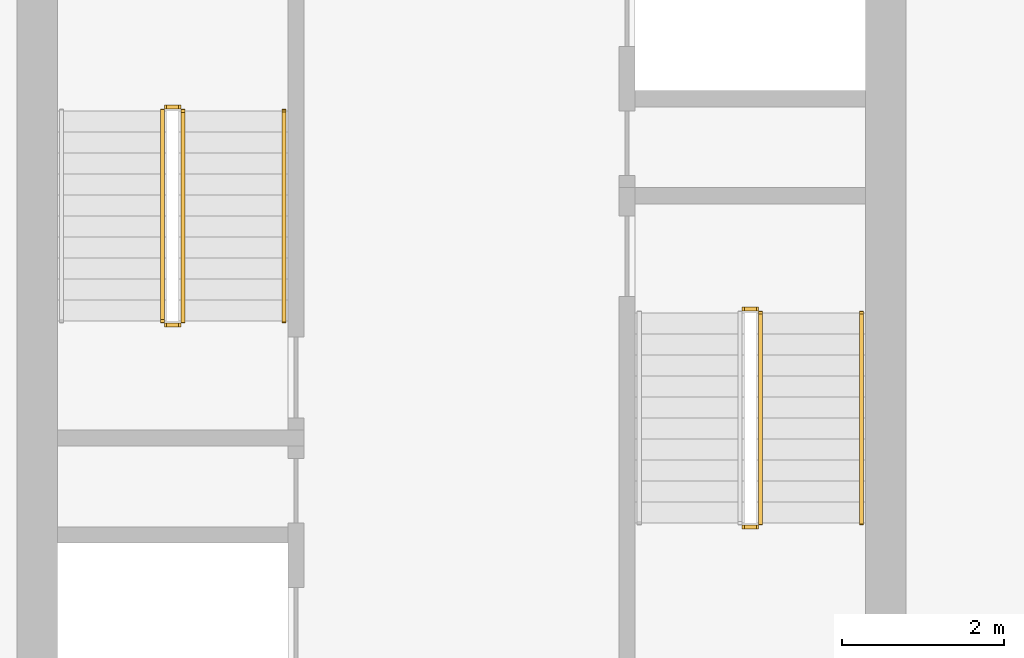
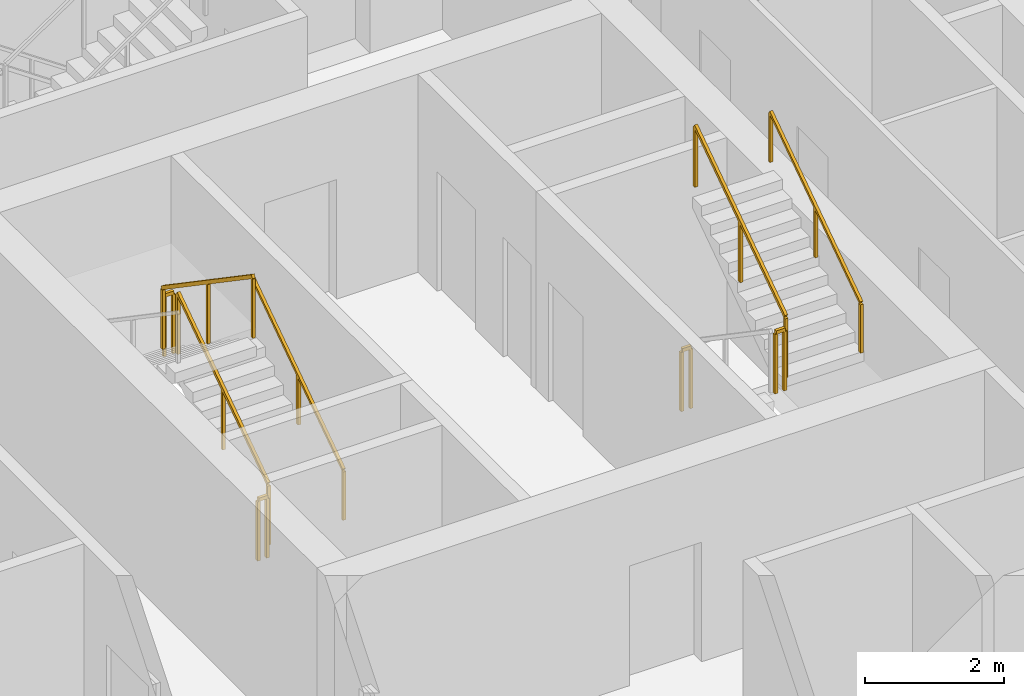
# One storey, part 11 of 14: 9 railings.
"""IFC4 building model written with IfcOpenShell, lengths in metres."""

from ifc_helpers import new_model, si_unit, direction, frame, origin, origin_2d, place, context, subcontext, project, spatial, rectangle, extrude, material, type_object, element, save


model = new_model("IFC4")

# Units and contexts
model_context = context("Model", 3, precision=1e-05, world=origin(), true_north=direction((0.0, 1.0)))
body_context = subcontext(model_context, "Body", "Model", "MODEL_VIEW")
ifc_project = project(units=[si_unit("LENGTHUNIT", "METRE"), si_unit("AREAUNIT", "SQUARE_METRE"), si_unit("VOLUMEUNIT", "CUBIC_METRE"), si_unit("PLANEANGLEUNIT", "RADIAN"), si_unit("MASSUNIT", "GRAM", prefix="KILO")], contexts=[model_context])

# Site, building, storey
site_placement = place(None, origin())
site = spatial("IfcSite", under=ifc_project, at=site_placement, CompositionType="ELEMENT")
building_placement = place(site_placement, origin())
building = spatial("IfcBuilding", under=site, at=building_placement, Name="Khepri Terraces", CompositionType="ELEMENT")
storey_placement = place(building_placement, frame((0.0, 0.0, 106.5)))
storey = spatial("IfcBuildingStorey", under=building, at=storey_placement, Name="L25", CompositionType="ELEMENT", Elevation=106.5)

# Railings
ifc_material = material(Name="Stainless steel 316", Category="steel")
railing_type_1 = type_object("IfcRailingType", Name="RL-CORE-GUARD", PredefinedType="GUARDRAIL", material=ifc_material)
railing_1_placement = place(storey_placement, frame((-3.449951171875, -0.050048828125, 0.17724609375)))
element("IfcRailing", 1, at=railing_1_placement, inside=storey, type_object=railing_type_1, Name="L25 ST-1 stair guard 1", PredefinedType="GUARDRAIL", context=body_context, shape_type="SweptSolid", body=[
    extrude(rectangle(XDim=0.050048828125, YDim=0.06005859375, at=origin_2d()), frame((0.0, 0.0, 1.070068359375), z_axis=(0.0, 0.826240473404, 0.563317565952), x_axis=(-1.0, 0.0, 0.0)), (0.0, 0.0, 1.0), 3.14697265625),
    extrude(rectangle(XDim=0.050048828125, YDim=0.050048828125, at=origin_2d()), origin(), (0.0, 0.0, 1.0), 1.0400390625),
    extrude(rectangle(XDim=0.050048828125, YDim=0.050048828125, at=origin_2d()), frame((0.0, 1.300048828125, 0.88623046875)), (0.0, 0.0, 1.0), 1.0400390625),
    extrude(rectangle(XDim=0.050048828125, YDim=0.050048828125, at=origin_2d()), frame((0.0, 2.60009765625, 1.772705078125)), (0.0, 0.0, 1.0), 1.0400390625),
])
railing_2_placement = place(storey_placement, frame((-3.5, 2.60009765625, 1.949951171875)))
element("IfcRailing", 2, at=railing_2_placement, inside=storey, type_object=railing_type_1, Name="L25 ST-1 stair guard 2", PredefinedType="GUARDRAIL", context=body_context, shape_type="SweptSolid", body=[
    extrude(rectangle(XDim=0.050048828125, YDim=0.06005859375, at=origin_2d()), frame((0.0, 0.0, 1.070068359375), z_axis=(-1.0, 0.0, 0.0), x_axis=(0.0, -1.0, 0.0)), (0.0, 0.0, 1.0), 0.14990234375),
    extrude(rectangle(XDim=0.050048828125, YDim=0.050048828125, at=origin_2d()), origin(), (0.0, 0.0, 1.0), 1.0400390625),
    extrude(rectangle(XDim=0.050048828125, YDim=0.050048828125, at=origin_2d()), frame((-0.14990234375, 0.0, 0.0)), (0.0, 0.0, 1.0), 1.0400390625),
])
railing_3_placement = place(storey_placement, frame((-3.699951171875, 2.550048828125, 2.127197265625)))
element("IfcRailing", 3, at=railing_3_placement, inside=storey, type_object=railing_type_1, Name="L25 ST-1 stair guard 3", PredefinedType="GUARDRAIL", context=body_context, shape_type="SweptSolid", body=[
    extrude(rectangle(XDim=0.050048828125, YDim=0.06005859375, at=origin_2d()), frame((0.0, 0.0, 1.070068359375), z_axis=(0.0, -0.826240473404, 0.563317565952), x_axis=(1.0, 0.0, 0.0)), (0.0, 0.0, 1.0), 3.14697265625),
    extrude(rectangle(XDim=0.050048828125, YDim=0.050048828125, at=origin_2d()), origin(), (0.0, 0.0, 1.0), 1.0400390625),
    extrude(rectangle(XDim=0.050048828125, YDim=0.050048828125, at=origin_2d()), frame((0.0, -1.300048828125, 0.88623046875)), (0.0, 0.0, 1.0), 1.0400390625),
    extrude(rectangle(XDim=0.050048828125, YDim=0.050048828125, at=origin_2d()), frame((0.0, -2.60009765625, 1.772705078125)), (0.0, 0.0, 1.0), 1.0400390625),
])
railing_4_placement = place(storey_placement, frame((-3.5, -0.10009765625, 0.0)))
element("IfcRailing", 4, at=railing_4_placement, inside=storey, type_object=railing_type_1, Name="L25 ST-1 stair guard 4", PredefinedType="GUARDRAIL", context=body_context, shape_type="SweptSolid", body=[
    extrude(rectangle(XDim=0.050048828125, YDim=0.06005859375, at=origin_2d()), frame((0.0, 0.0, 1.070068359375), z_axis=(-1.0, 0.0, 0.0), x_axis=(0.0, -1.0, 0.0)), (0.0, 0.0, 1.0), 0.14990234375),
    extrude(rectangle(XDim=0.050048828125, YDim=0.050048828125, at=origin_2d()), origin(), (0.0, 0.0, 1.0), 1.0400390625),
    extrude(rectangle(XDim=0.050048828125, YDim=0.050048828125, at=origin_2d()), frame((-0.14990234375, 0.0, 0.0)), (0.0, 0.0, 1.0), 1.0400390625),
])
railing_5_placement = place(storey_placement, frame((3.5, -2.60009765625, 1.949951171875)))
element("IfcRailing", 5, at=railing_5_placement, inside=storey, type_object=railing_type_1, Name="L25 ST-2 stair guard 2", PredefinedType="GUARDRAIL", context=body_context, shape_type="SweptSolid", body=[
    extrude(rectangle(XDim=0.050048828125, YDim=0.06005859375, at=origin_2d()), frame((0.0, 0.0, 1.070068359375), z_axis=(1.0, 0.0, 0.0), x_axis=(0.0, 1.0, 0.0)), (0.0, 0.0, 1.0), 0.14990234375),
    extrude(rectangle(XDim=0.050048828125, YDim=0.050048828125, at=origin_2d()), origin(), (0.0, 0.0, 1.0), 1.0400390625),
    extrude(rectangle(XDim=0.050048828125, YDim=0.050048828125, at=origin_2d()), frame((0.14990234375, 0.0, 0.0)), (0.0, 0.0, 1.0), 1.0400390625),
])
railing_6_placement = place(storey_placement, frame((3.699951171875, -2.550048828125, 2.127197265625)))
element("IfcRailing", 6, at=railing_6_placement, inside=storey, type_object=railing_type_1, Name="L25 ST-2 stair guard 3", PredefinedType="GUARDRAIL", context=body_context, shape_type="SweptSolid", body=[
    extrude(rectangle(XDim=0.050048828125, YDim=0.06005859375, at=origin_2d()), frame((0.0, 0.0, 1.070068359375), z_axis=(0.0, 0.826240473404, 0.563317565952), x_axis=(-1.0, 0.0, 0.0)), (0.0, 0.0, 1.0), 3.14697265625),
    extrude(rectangle(XDim=0.050048828125, YDim=0.050048828125, at=origin_2d()), origin(), (0.0, 0.0, 1.0), 1.0400390625),
    extrude(rectangle(XDim=0.050048828125, YDim=0.050048828125, at=origin_2d()), frame((0.0, 1.300048828125, 0.88623046875)), (0.0, 0.0, 1.0), 1.0400390625),
    extrude(rectangle(XDim=0.050048828125, YDim=0.050048828125, at=origin_2d()), frame((0.0, 2.60009765625, 1.772705078125)), (0.0, 0.0, 1.0), 1.0400390625),
])
railing_7_placement = place(storey_placement, frame((3.5, 0.10009765625, 0.0)))
element("IfcRailing", 7, at=railing_7_placement, inside=storey, type_object=railing_type_1, Name="L25 ST-2 stair guard 4", PredefinedType="GUARDRAIL", context=body_context, shape_type="SweptSolid", body=[
    extrude(rectangle(XDim=0.050048828125, YDim=0.06005859375, at=origin_2d()), frame((0.0, 0.0, 1.070068359375), z_axis=(1.0, 0.0, 0.0), x_axis=(0.0, 1.0, 0.0)), (0.0, 0.0, 1.0), 0.14990234375),
    extrude(rectangle(XDim=0.050048828125, YDim=0.050048828125, at=origin_2d()), origin(), (0.0, 0.0, 1.0), 1.0400390625),
    extrude(rectangle(XDim=0.050048828125, YDim=0.050048828125, at=origin_2d()), frame((0.14990234375, 0.0, 0.0)), (0.0, 0.0, 1.0), 1.0400390625),
])
railing_type_2 = type_object("IfcRailingType", Name="RL-CORE-HANDRAIL", PredefinedType="HANDRAIL", material=ifc_material)
for number, where, name in (
    (8, (-2.199951171875, -0.050048828125, 0.17724609375), "L25 ST-1 stair handrail 1"),
    (9, (4.949951171875, -2.550048828125, 2.127197265625), "L25 ST-2 stair handrail 2"),
):
    element("IfcRailing", number, at=place(storey_placement, frame(where)), inside=storey, type_object=railing_type_2, Name=name, PredefinedType="HANDRAIL", context=body_context, shape_type="SweptSolid", body=[
        extrude(rectangle(XDim=0.050048828125, YDim=0.050048828125, at=origin_2d()), frame((0.0, 0.0, 0.875), z_axis=(0.0, 0.826240473404, 0.563317565952), x_axis=(-1.0, 0.0, 0.0)), (0.0, 0.0, 1.0), 3.14697265625),
        extrude(rectangle(XDim=0.050048828125, YDim=0.050048828125, at=origin_2d()), origin(), (0.0, 0.0, 1.0), 0.849853515625),
        extrude(rectangle(XDim=0.050048828125, YDim=0.050048828125, at=origin_2d()), frame((0.0, 1.300048828125, 0.88623046875)), (0.0, 0.0, 1.0), 0.849853515625),
        extrude(rectangle(XDim=0.050048828125, YDim=0.050048828125, at=origin_2d()), frame((0.0, 2.60009765625, 1.772705078125)), (0.0, 0.0, 1.0), 0.849853515625),
    ])

save(model, "model.ifc")
